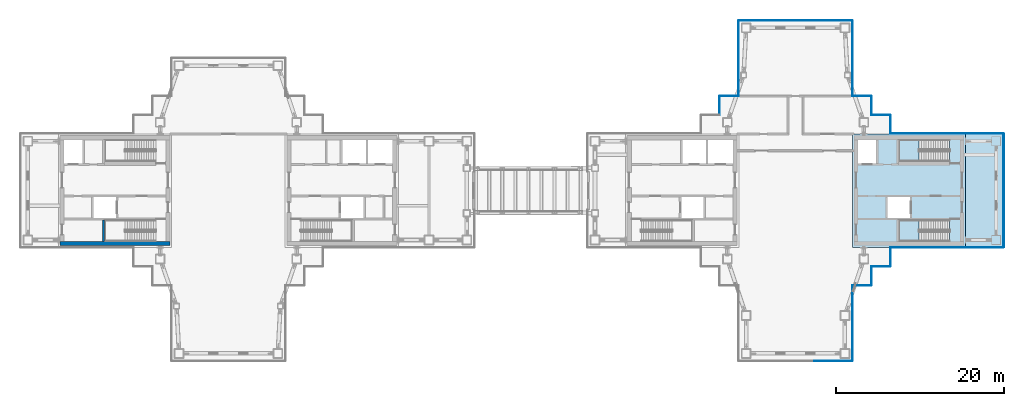
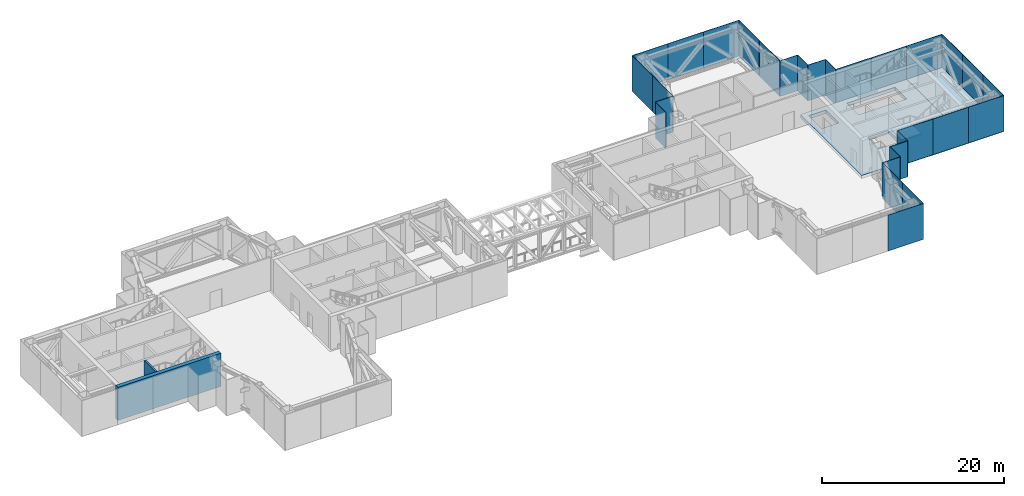
# One storey, part 9 of 21: 29 plates, 4 slabs, 2 walls, 15 elements without a shape of their own.
"""IFC4 building model written with IfcOpenShell, lengths in metres."""

from ifc_helpers import new_model, si_unit, direction, frame, frame_2d, origin, origin_2d, place, context, subcontext, project, spatial, polyline, rectangle, outline, extrude, material, layer, layer_set, type_object, element, aggregate, save


model = new_model("IFC4")

# Units and contexts
model_context = context("Model", 3, precision=1e-05, world=origin(), true_north=direction((0.0, 1.0)))
body_context = subcontext(model_context, "Body", "Model", "MODEL_VIEW")
ifc_project = project(units=[si_unit("LENGTHUNIT", "METRE"), si_unit("AREAUNIT", "SQUARE_METRE"), si_unit("VOLUMEUNIT", "CUBIC_METRE"), si_unit("PLANEANGLEUNIT", "RADIAN"), si_unit("MASSUNIT", "GRAM", prefix="KILO")], contexts=[model_context])

# Site, building, storey
site_placement = place(None, origin())
site = spatial("IfcSite", under=ifc_project, at=site_placement, CompositionType="ELEMENT")
building_placement = place(site_placement, origin())
building = spatial("IfcBuilding", under=site, at=building_placement, Name="Shamsa Quay Exchange Towers", CompositionType="ELEMENT")
storey_placement = place(building_placement, frame((0.0, 0.0, 177.89990234375)))
storey = spatial("IfcBuildingStorey", under=building, at=storey_placement, Name="L42", CompositionType="ELEMENT", Elevation=177.89990234375)

# Slab
ifc_material_1 = material(Name="Concrete C50/60", Category="concrete")
ifc_layer_1 = layer(ifc_material_1, 0.449951171875)
ifc_layer_set_1 = layer_set([ifc_layer_1], Name="CORE FLOOR 450 C50/60")
slab_type_1 = type_object("IfcSlabType", Name="CORE FLOOR 450 C50/60", PredefinedType="FLOOR", material=ifc_layer_set_1)
slab_1_placement = place(storey_placement, frame((0.0, 0.0, -0.449951171875)))
element("IfcSlab", 1, at=slab_1_placement, inside=storey, type_object=slab_type_1, Name="Core floor T2B", PredefinedType="FLOOR", context=body_context, shape_type="SweptSolid", body=[
    extrude(outline(polyline([(54.0, -6.75), (54.0, 6.75), (40.5, 6.75), (40.5, -6.75), (54.0, -6.75)]), holes=[polyline([(52.099365234375, -3.5), (52.099365234375, -6.050048828125), (46.0, -6.050048828125), (46.0, -3.5), (52.099365234375, -3.5)]), polyline([(52.099365234375, 6.050048828125), (52.099365234375, 3.5), (46.0, 3.5), (46.0, 6.050048828125), (52.099365234375, 6.050048828125)]), polyline([(43.35009765625, 3.25), (41.199951171875, 3.25), (41.199951171875, 6.050048828125), (43.35009765625, 6.050048828125), (43.35009765625, 3.25)]), polyline([(47.35009765625, -3.25), (44.699951171875, -3.25), (44.699951171875, -0.75), (47.35009765625, -0.75), (47.35009765625, -3.25)])]), origin(), (0.0, 0.0, 1.0), 0.449951171875),
])

# Stair, slab
ifc_material_2 = material(Name="Concrete C40/50", Category="concrete")
stair_type = type_object("IfcStairType", Name="EXIT STAIR 28 RISERS 171 MM", PredefinedType="HALF_TURN_STAIR", material=ifc_material_2)
stair_1_placement = place(storey_placement, origin())
stair_1 = element("IfcStair", 2, at=stair_1_placement, inside=storey, type_object=stair_type, Name="L42 Exit stair ST5", PredefinedType="HALF_TURN_STAIR")
ifc_layer_2 = layer(ifc_material_2, 0.199951171875)
ifc_layer_set_2 = layer_set([ifc_layer_2], Name="CORE STAIR LANDING")
slab_type_2 = type_object("IfcSlabType", Name="CORE STAIR LANDING", PredefinedType="LANDING", material=ifc_layer_set_2)
slab_2_placement = place(storey_placement, frame((0.0, 0.0, 2.2001953125)))
slab_2 = element("IfcSlab", 3, at=slab_2_placement, type_object=slab_type_2, Name="ST5 landing 1", PredefinedType="LANDING", context=body_context, shape_type="SweptSolid", body=[
    extrude(outline(polyline([(48.4599609375, -3.5), (46.0, -3.5), (46.0, -6.050048828125), (48.4599609375, -6.050048828125), (48.4599609375, -3.5)])), origin(), (0.0, 0.0, 1.0), 0.199951171875),
])
aggregate(stair_1, [slab_2])

stair_2_placement = place(storey_placement, origin())
stair_2 = element("IfcStair", 4, at=stair_2_placement, inside=storey, type_object=stair_type, Name="L42 Exit stair ST6", PredefinedType="HALF_TURN_STAIR")
slab_3_placement = place(storey_placement, frame((0.0, 0.0, 2.2001953125)))
slab_3 = element("IfcSlab", 5, at=slab_3_placement, type_object=slab_type_2, Name="ST6 landing 1", PredefinedType="LANDING", context=body_context, shape_type="SweptSolid", body=[
    extrude(outline(polyline([(48.4599609375, 6.050048828125), (46.0, 6.050048828125), (46.0, 3.5), (48.4599609375, 3.5), (48.4599609375, 6.050048828125)])), origin(), (0.0, 0.0, 1.0), 0.199951171875),
])
aggregate(stair_2, [slab_3])

# Curtain wall, plates
ifc_material_3 = material(Name="Aluminium EN AW-6063 T6, black anodised", Category="aluminium")
ifc_layer_3 = layer(ifc_material_3, 0.320068359375)
ifc_layer_set_3 = layer_set([ifc_layer_3], Name="CW-7 BELT-LEVEL LOUVRE PANEL WALL")
curtain_wall_type = type_object("IfcCurtainWallType", Name="CW-7 BELT-LEVEL LOUVRE PANEL WALL", PredefinedType="NOTDEFINED", material=ifc_layer_set_3)
curtain_wall_1_placement = place(storey_placement, origin())
curtain_wall_1 = element("IfcCurtainWall", 6, at=curtain_wall_1_placement, inside=storey, type_object=curtain_wall_type, Name="CW7 T2-FLK-V-W L42", PredefinedType="NOTDEFINED")
ifc_material_4 = material(Name="Aluminium louvre panel, black anodised, with insulated fire-rated backing", Category="aluminium")
ifc_layer_4 = layer(ifc_material_4, 0.06005859375)
ifc_layer_set_4 = layer_set([ifc_layer_4], Name="CW-7 LOUVRE PANEL 60")
plate_type = type_object("IfcPlateType", Name="CW-7 LOUVRE PANEL 60", PredefinedType="CURTAIN_PANEL", material=ifc_layer_set_4)
plate_1_placement = place(storey_placement, frame((47.2939453125, -6.780029296875, -0.35009765625)))
plate_1 = element("IfcPlate", 7, at=plate_1_placement, type_object=plate_type, Name="CW7 glass panel", PredefinedType="CURTAIN_PANEL", context=body_context, shape_type="SweptSolid", body=[
    extrude(rectangle(XDim=4.464111328125, YDim=0.06005859375, at=origin_2d()), origin(), (0.0, 0.0, 1.0), 4.800048828125),
])
plate_2_placement = place(storey_placement, frame((51.76806640625, -6.780029296875, -0.35009765625)))
plate_2 = element("IfcPlate", 8, at=plate_2_placement, type_object=plate_type, Name="CW7 glass panel", PredefinedType="CURTAIN_PANEL", context=body_context, shape_type="SweptSolid", body=[
    extrude(rectangle(XDim=4.464111328125, YDim=0.06005859375, at=origin_2d()), origin(), (0.0, 0.0, 1.0), 4.800048828125),
])
aggregate(curtain_wall_1, [plate_1, plate_2])

# Curtain wall, plate
curtain_wall_2_placement = place(storey_placement, origin())
curtain_wall_2 = element("IfcCurtainWall", 9, at=curtain_wall_2_placement, inside=storey, type_object=curtain_wall_type, Name="CW7 T2-FLK-V-W L42", PredefinedType="NOTDEFINED")
plate_3_placement = place(storey_placement, frame((56.25, -6.780029296875, -0.35009765625)))
plate_3 = element("IfcPlate", 10, at=plate_3_placement, type_object=plate_type, Name="CW7 glass panel", PredefinedType="CURTAIN_PANEL", context=body_context, shape_type="SweptSolid", body=[
    extrude(rectangle(XDim=4.5, YDim=0.06005859375, at=origin_2d()), origin(), (0.0, 0.0, 1.0), 4.800048828125),
])
aggregate(curtain_wall_2, [plate_3])

# Curtain wall, plates
curtain_wall_3_placement = place(storey_placement, origin())
curtain_wall_3 = element("IfcCurtainWall", 11, at=curtain_wall_3_placement, inside=storey, type_object=curtain_wall_type, Name="CW7 T2-END-V- L42", PredefinedType="NOTDEFINED")
plate_4_placement = place(storey_placement, frame((58.530029296875, -4.50244140625, -0.35009765625), z_axis=(0.0, 0.0, 1.0), x_axis=(0.0, 1.0, 0.0)))
plate_4 = element("IfcPlate", 12, at=plate_4_placement, type_object=plate_type, Name="CW7 glass panel", PredefinedType="CURTAIN_PANEL", context=body_context, shape_type="SweptSolid", body=[
    extrude(rectangle(XDim=4.4951171875, YDim=0.06005859375, at=origin_2d()), origin(), (0.0, 0.0, 1.0), 4.800048828125),
])
plate_5_placement = place(storey_placement, frame((58.530029296875, 0.0, -0.35009765625), z_axis=(0.0, 0.0, 1.0), x_axis=(0.0, 1.0, 0.0)))
plate_5 = element("IfcPlate", 13, at=plate_5_placement, type_object=plate_type, Name="CW7 glass panel", PredefinedType="CURTAIN_PANEL", context=body_context, shape_type="SweptSolid", body=[
    extrude(rectangle(XDim=4.489990234375, YDim=0.06005859375, at=origin_2d()), origin(), (0.0, 0.0, 1.0), 4.800048828125),
])
plate_6_placement = place(storey_placement, frame((58.530029296875, 4.50244140625, -0.35009765625), z_axis=(0.0, 0.0, 1.0), x_axis=(0.0, 1.0, 0.0)))
plate_6 = element("IfcPlate", 14, at=plate_6_placement, type_object=plate_type, Name="CW7 glass panel", PredefinedType="CURTAIN_PANEL", context=body_context, shape_type="SweptSolid", body=[
    extrude(rectangle(XDim=4.4951171875, YDim=0.06005859375, at=origin_2d()), origin(), (0.0, 0.0, 1.0), 4.800048828125),
])
aggregate(curtain_wall_3, [plate_4, plate_5, plate_6])

# Curtain wall, plate
curtain_wall_4_placement = place(storey_placement, origin())
curtain_wall_4 = element("IfcCurtainWall", 15, at=curtain_wall_4_placement, inside=storey, type_object=curtain_wall_type, Name="CW7 T2-FLK-V-E L42", PredefinedType="NOTDEFINED")
plate_7_placement = place(storey_placement, frame((56.25, 6.780029296875, -0.35009765625), z_axis=(0.0, 0.0, 1.0), x_axis=(-1.0, 0.0, 0.0)))
plate_7 = element("IfcPlate", 16, at=plate_7_placement, type_object=plate_type, Name="CW7 glass panel", PredefinedType="CURTAIN_PANEL", context=body_context, shape_type="SweptSolid", body=[
    extrude(rectangle(XDim=4.5, YDim=0.06005859375, at=origin_2d()), origin(), (0.0, 0.0, 1.0), 4.800048828125),
])
aggregate(curtain_wall_4, [plate_7])

# Curtain wall, plates
curtain_wall_5_placement = place(storey_placement, origin())
curtain_wall_5 = element("IfcCurtainWall", 17, at=curtain_wall_5_placement, inside=storey, type_object=curtain_wall_type, Name="CW7 T2-FLK-V-E L42", PredefinedType="NOTDEFINED")
plate_8_placement = place(storey_placement, frame((51.75244140625, 6.780029296875, -0.35009765625), z_axis=(0.0, 0.0, 1.0), x_axis=(-1.0, 0.0, 0.0)))
plate_8 = element("IfcPlate", 18, at=plate_8_placement, type_object=plate_type, Name="CW7 glass panel", PredefinedType="CURTAIN_PANEL", context=body_context, shape_type="SweptSolid", body=[
    extrude(rectangle(XDim=4.4951171875, YDim=0.06005859375, at=origin_2d()), origin(), (0.0, 0.0, 1.0), 4.800048828125),
])
plate_9_placement = place(storey_placement, frame((47.24755859375, 6.780029296875, -0.35009765625), z_axis=(0.0, 0.0, 1.0), x_axis=(-1.0, 0.0, 0.0)))
plate_9 = element("IfcPlate", 19, at=plate_9_placement, type_object=plate_type, Name="CW7 glass panel", PredefinedType="CURTAIN_PANEL", context=body_context, shape_type="SweptSolid", body=[
    extrude(rectangle(XDim=4.4951171875, YDim=0.06005859375, at=origin_2d()), origin(), (0.0, 0.0, 1.0), 4.800048828125),
])
aggregate(curtain_wall_5, [plate_8, plate_9])

curtain_wall_6_placement = place(storey_placement, origin())
curtain_wall_6 = element("IfcCurtainWall", 20, at=curtain_wall_6_placement, inside=storey, type_object=curtain_wall_type, Name="CW7 T2-FLK-U+S L42", PredefinedType="NOTDEFINED")
plate_10_placement = place(storey_placement, frame((40.530029296875, 13.5439453125, -0.35009765625), z_axis=(0.0, 0.0, 1.0), x_axis=(0.0, 1.0, 0.0)))
plate_10 = element("IfcPlate", 21, at=plate_10_placement, type_object=plate_type, Name="CW7 glass panel", PredefinedType="CURTAIN_PANEL", context=body_context, shape_type="SweptSolid", body=[
    extrude(rectangle(XDim=4.464111328125, YDim=0.06005859375, at=origin_2d()), origin(), (0.0, 0.0, 1.0), 4.800048828125),
])
plate_11_placement = place(storey_placement, frame((40.530029296875, 18.01806640625, -0.35009765625), z_axis=(0.0, 0.0, 1.0), x_axis=(0.0, 1.0, 0.0)))
plate_11 = element("IfcPlate", 22, at=plate_11_placement, type_object=plate_type, Name="CW7 glass panel", PredefinedType="CURTAIN_PANEL", context=body_context, shape_type="SweptSolid", body=[
    extrude(rectangle(XDim=4.464111328125, YDim=0.06005859375, at=origin_2d()), origin(), (0.0, 0.0, 1.0), 4.800048828125),
])
aggregate(curtain_wall_6, [plate_10, plate_11])

curtain_wall_7_placement = place(storey_placement, origin())
curtain_wall_7 = element("IfcCurtainWall", 23, at=curtain_wall_7_placement, inside=storey, type_object=curtain_wall_type, Name="CW7 T2-END-U+ L42", PredefinedType="NOTDEFINED")
plate_12_placement = place(storey_placement, frame((38.25244140625, 20.280029296875, -0.35009765625), z_axis=(0.0, 0.0, 1.0), x_axis=(-1.0, 0.0, 0.0)))
plate_12 = element("IfcPlate", 24, at=plate_12_placement, type_object=plate_type, Name="CW7 glass panel", PredefinedType="CURTAIN_PANEL", context=body_context, shape_type="SweptSolid", body=[
    extrude(rectangle(XDim=4.4951171875, YDim=0.06005859375, at=origin_2d()), origin(), (0.0, 0.0, 1.0), 4.800048828125),
])
plate_13_placement = place(storey_placement, frame((33.75, 20.280029296875, -0.35009765625), z_axis=(0.0, 0.0, 1.0), x_axis=(-1.0, 0.0, 0.0)))
plate_13 = element("IfcPlate", 25, at=plate_13_placement, type_object=plate_type, Name="CW7 glass panel", PredefinedType="CURTAIN_PANEL", context=body_context, shape_type="SweptSolid", body=[
    extrude(rectangle(XDim=4.489990234375, YDim=0.06005859375, at=origin_2d()), origin(), (0.0, 0.0, 1.0), 4.800048828125),
])
plate_14_placement = place(storey_placement, frame((29.24755859375, 20.280029296875, -0.35009765625), z_axis=(0.0, 0.0, 1.0), x_axis=(-1.0, 0.0, 0.0)))
plate_14 = element("IfcPlate", 26, at=plate_14_placement, type_object=plate_type, Name="CW7 glass panel", PredefinedType="CURTAIN_PANEL", context=body_context, shape_type="SweptSolid", body=[
    extrude(rectangle(XDim=4.4951171875, YDim=0.06005859375, at=origin_2d()), origin(), (0.0, 0.0, 1.0), 4.800048828125),
])
aggregate(curtain_wall_7, [plate_12, plate_13, plate_14])

curtain_wall_8_placement = place(storey_placement, origin())
curtain_wall_8 = element("IfcCurtainWall", 27, at=curtain_wall_8_placement, inside=storey, type_object=curtain_wall_type, Name="CW7 T2-FLK-U+N L42", PredefinedType="NOTDEFINED")
plate_15_placement = place(storey_placement, frame((26.969970703125, 18.00244140625, -0.35009765625), z_axis=(0.0, 0.0, 1.0), x_axis=(0.0, -1.0, 0.0)))
plate_15 = element("IfcPlate", 28, at=plate_15_placement, type_object=plate_type, Name="CW7 glass panel", PredefinedType="CURTAIN_PANEL", context=body_context, shape_type="SweptSolid", body=[
    extrude(rectangle(XDim=4.4951171875, YDim=0.06005859375, at=origin_2d()), origin(), (0.0, 0.0, 1.0), 4.800048828125),
])
plate_16_placement = place(storey_placement, frame((26.969970703125, 13.49755859375, -0.35009765625), z_axis=(0.0, 0.0, 1.0), x_axis=(0.0, -1.0, 0.0)))
plate_16 = element("IfcPlate", 29, at=plate_16_placement, type_object=plate_type, Name="CW7 glass panel", PredefinedType="CURTAIN_PANEL", context=body_context, shape_type="SweptSolid", body=[
    extrude(rectangle(XDim=4.4951171875, YDim=0.06005859375, at=origin_2d()), origin(), (0.0, 0.0, 1.0), 4.800048828125),
])
aggregate(curtain_wall_8, [plate_15, plate_16])

# Curtain wall, plate
curtain_wall_9_placement = place(storey_placement, origin())
curtain_wall_9 = element("IfcCurtainWall", 30, at=curtain_wall_9_placement, inside=storey, type_object=curtain_wall_type, Name="CW7 T2-END-U- L42", PredefinedType="NOTDEFINED")
plate_17_placement = place(storey_placement, frame((38.25244140625, -20.280029296875, -0.35009765625)))
plate_17 = element("IfcPlate", 31, at=plate_17_placement, type_object=plate_type, Name="CW7 glass panel", PredefinedType="CURTAIN_PANEL", context=body_context, shape_type="SweptSolid", body=[
    extrude(rectangle(XDim=4.4951171875, YDim=0.06005859375, at=origin_2d()), origin(), (0.0, 0.0, 1.0), 4.800048828125),
])
aggregate(curtain_wall_9, [plate_17])

# Curtain wall, plates
curtain_wall_10_placement = place(storey_placement, origin())
curtain_wall_10 = element("IfcCurtainWall", 32, at=curtain_wall_10_placement, inside=storey, type_object=curtain_wall_type, Name="CW7 T2-FLK-U-S L42", PredefinedType="NOTDEFINED")
plate_18_placement = place(storey_placement, frame((40.530029296875, -18.00244140625, -0.35009765625), z_axis=(0.0, 0.0, 1.0), x_axis=(0.0, 1.0, 0.0)))
plate_18 = element("IfcPlate", 33, at=plate_18_placement, type_object=plate_type, Name="CW7 glass panel", PredefinedType="CURTAIN_PANEL", context=body_context, shape_type="SweptSolid", body=[
    extrude(rectangle(XDim=4.4951171875, YDim=0.06005859375, at=origin_2d()), origin(), (0.0, 0.0, 1.0), 4.800048828125),
])
plate_19_placement = place(storey_placement, frame((40.530029296875, -13.49755859375, -0.35009765625), z_axis=(0.0, 0.0, 1.0), x_axis=(0.0, 1.0, 0.0)))
plate_19 = element("IfcPlate", 34, at=plate_19_placement, type_object=plate_type, Name="CW7 glass panel", PredefinedType="CURTAIN_PANEL", context=body_context, shape_type="SweptSolid", body=[
    extrude(rectangle(XDim=4.4951171875, YDim=0.06005859375, at=origin_2d()), origin(), (0.0, 0.0, 1.0), 4.800048828125),
])
aggregate(curtain_wall_10, [plate_18, plate_19])

curtain_wall_11_placement = place(storey_placement, origin())
curtain_wall_11 = element("IfcCurtainWall", 35, at=curtain_wall_11_placement, inside=storey, type_object=curtain_wall_type, Name="CW7 PKWS L42", PredefinedType="NOTDEFINED")
plate_20_placement = place(storey_placement, frame((43.906005859375, -9.030029296875, -0.35009765625)))
plate_20 = element("IfcPlate", 36, at=plate_20_placement, type_object=plate_type, Name="CW7 glass panel", PredefinedType="CURTAIN_PANEL", context=body_context, shape_type="SweptSolid", body=[
    extrude(rectangle(XDim=2.18798828125, YDim=0.06005859375, at=origin_2d()), origin(), (0.0, 0.0, 1.0), 4.800048828125),
])
plate_21_placement = place(storey_placement, frame((45.030029296875, -7.875, -0.35009765625), z_axis=(0.0, 0.0, 1.0), x_axis=(0.0, 1.0, 0.0)))
plate_21 = element("IfcPlate", 37, at=plate_21_placement, type_object=plate_type, Name="CW7 glass panel", PredefinedType="CURTAIN_PANEL", context=body_context, shape_type="SweptSolid", body=[
    extrude(rectangle(XDim=2.25, YDim=0.06005859375, at=origin_2d()), origin(), (0.0, 0.0, 1.0), 4.800048828125),
])
plate_22_placement = place(storey_placement, frame((41.656005859375, -11.280029296875, -0.35009765625)))
plate_22 = element("IfcPlate", 38, at=plate_22_placement, type_object=plate_type, Name="CW7 glass panel", PredefinedType="CURTAIN_PANEL", context=body_context, shape_type="SweptSolid", body=[
    extrude(rectangle(XDim=2.18798828125, YDim=0.06005859375, at=origin_2d()), origin(), (0.0, 0.0, 1.0), 4.800048828125),
])
plate_23_placement = place(storey_placement, frame((42.780029296875, -10.125, -0.35009765625), z_axis=(0.0, 0.0, 1.0), x_axis=(0.0, 1.0, 0.0)))
plate_23 = element("IfcPlate", 39, at=plate_23_placement, type_object=plate_type, Name="CW7 glass panel", PredefinedType="CURTAIN_PANEL", context=body_context, shape_type="SweptSolid", body=[
    extrude(rectangle(XDim=2.25, YDim=0.06005859375, at=origin_2d()), origin(), (0.0, 0.0, 1.0), 4.800048828125),
])
aggregate(curtain_wall_11, [plate_20, plate_21, plate_22, plate_23])

curtain_wall_12_placement = place(storey_placement, origin())
curtain_wall_12 = element("IfcCurtainWall", 40, at=curtain_wall_12_placement, inside=storey, type_object=curtain_wall_type, Name="CW7 PKES L42", PredefinedType="NOTDEFINED")
plate_24_placement = place(storey_placement, frame((45.030029296875, 7.906005859375, -0.35009765625), z_axis=(0.0, 0.0, 1.0), x_axis=(0.0, 1.0, 0.0)))
plate_24 = element("IfcPlate", 41, at=plate_24_placement, type_object=plate_type, Name="CW7 glass panel", PredefinedType="CURTAIN_PANEL", context=body_context, shape_type="SweptSolid", body=[
    extrude(rectangle(XDim=2.18798828125, YDim=0.06005859375, at=origin_2d()), origin(), (0.0, 0.0, 1.0), 4.800048828125),
])
plate_25_placement = place(storey_placement, frame((43.875, 9.030029296875, -0.35009765625), z_axis=(0.0, 0.0, 1.0), x_axis=(-1.0, 0.0, 0.0)))
plate_25 = element("IfcPlate", 42, at=plate_25_placement, type_object=plate_type, Name="CW7 glass panel", PredefinedType="CURTAIN_PANEL", context=body_context, shape_type="SweptSolid", body=[
    extrude(rectangle(XDim=2.25, YDim=0.06005859375, at=origin_2d()), origin(), (0.0, 0.0, 1.0), 4.800048828125),
])
plate_26_placement = place(storey_placement, frame((42.780029296875, 10.156005859375, -0.35009765625), z_axis=(0.0, 0.0, 1.0), x_axis=(0.0, 1.0, 0.0)))
plate_26 = element("IfcPlate", 43, at=plate_26_placement, type_object=plate_type, Name="CW7 glass panel", PredefinedType="CURTAIN_PANEL", context=body_context, shape_type="SweptSolid", body=[
    extrude(rectangle(XDim=2.18798828125, YDim=0.06005859375, at=origin_2d()), origin(), (0.0, 0.0, 1.0), 4.800048828125),
])
plate_27_placement = place(storey_placement, frame((41.625, 11.280029296875, -0.35009765625), z_axis=(0.0, 0.0, 1.0), x_axis=(-1.0, 0.0, 0.0)))
plate_27 = element("IfcPlate", 44, at=plate_27_placement, type_object=plate_type, Name="CW7 glass panel", PredefinedType="CURTAIN_PANEL", context=body_context, shape_type="SweptSolid", body=[
    extrude(rectangle(XDim=2.25, YDim=0.06005859375, at=origin_2d()), origin(), (0.0, 0.0, 1.0), 4.800048828125),
])
aggregate(curtain_wall_12, [plate_24, plate_25, plate_26, plate_27])

curtain_wall_13_placement = place(storey_placement, origin())
curtain_wall_13 = element("IfcCurtainWall", 45, at=curtain_wall_13_placement, inside=storey, type_object=curtain_wall_type, Name="CW7 PKEN L42", PredefinedType="NOTDEFINED")
plate_28_placement = place(storey_placement, frame((25.843994140625, 11.280029296875, -0.35009765625), z_axis=(0.0, 0.0, 1.0), x_axis=(-1.0, 0.0, 0.0)))
plate_28 = element("IfcPlate", 46, at=plate_28_placement, type_object=plate_type, Name="CW7 glass panel", PredefinedType="CURTAIN_PANEL", context=body_context, shape_type="SweptSolid", body=[
    extrude(rectangle(XDim=2.18798828125, YDim=0.06005859375, at=origin_2d()), origin(), (0.0, 0.0, 1.0), 4.800048828125),
])
plate_29_placement = place(storey_placement, frame((24.719970703125, 10.125, -0.35009765625), z_axis=(0.0, 0.0, 1.0), x_axis=(0.0, -1.0, 0.0)))
plate_29 = element("IfcPlate", 47, at=plate_29_placement, type_object=plate_type, Name="CW7 glass panel", PredefinedType="CURTAIN_PANEL", context=body_context, shape_type="SweptSolid", body=[
    extrude(rectangle(XDim=2.25, YDim=0.06005859375, at=origin_2d()), origin(), (0.0, 0.0, 1.0), 4.800048828125),
])
aggregate(curtain_wall_13, [plate_28, plate_29])

# Slab
ifc_layer_5 = layer(ifc_material_2, 0.449951171875)
ifc_layer_set_5 = layer_set([ifc_layer_5], Name="Flat slab 450")
slab_type_3 = type_object("IfcSlabType", Name="Flat slab 450", PredefinedType="FLOOR", material=ifc_layer_set_5)
slab_4_placement = place(storey_placement, frame((0.0, 0.0, -0.449951171875)))
element("IfcSlab", 48, at=slab_4_placement, inside=storey, type_object=slab_type_3, Name="Flat slab T2 L42 6", PredefinedType="FLOOR", context=body_context, shape_type="SweptSolid", body=[
    extrude(outline(polyline([(58.5, 6.75), (54.0, 6.75), (54.0, -6.75), (58.5, -6.75), (58.5, 6.75)])), origin(), (0.0, 0.0, 1.0), 0.449951171875),
])

# Walls
ifc_material_5 = material(Name="Concrete C60/75", Category="concrete")
ifc_layer_6 = layer(ifc_material_5, 0.5)
ifc_layer_set_6 = layer_set([ifc_layer_6], Name="CORE WALL 500 C60/75")
wall_type_1 = type_object("IfcWallType", Name="CORE WALL 500 C60/75", PredefinedType="SHEAR", material=ifc_layer_set_6)
wall_1_placement = place(storey_placement, frame((-40.699951171875, -6.300048828125, 0.0), z_axis=(0.0, 0.0, 1.0), x_axis=(-1.0, 0.0, 0.0)))
element("IfcWall", 49, at=wall_1_placement, inside=storey, type_object=wall_type_1, Name="Core wall T1B-L42-PS", PredefinedType="SHEAR", context=body_context, shape_type="SweptSolid", body=[
    extrude(rectangle(XDim=13.10009765625, YDim=0.5, at=frame_2d((6.550048828125, 0.0))), origin(), (0.0, 0.0, 1.0), 4.4501953125),
])
ifc_layer_7 = layer(ifc_material_1, 0.25)
ifc_layer_set_7 = layer_set([ifc_layer_7], Name="SHAFT WALL 250 C50/60")
wall_type_2 = type_object("IfcWallType", Name="SHAFT WALL 250 C50/60", PredefinedType="SHEAR", material=ifc_layer_set_7)
wall_2_placement = place(storey_placement, frame((-48.625, -6.050048828125, 0.0), z_axis=(0.0, 0.0, 1.0), x_axis=(0.0, 1.0, 0.0)))
element("IfcWall", 50, at=wall_2_placement, inside=storey, type_object=wall_type_2, Name="Shaft wall T1B-L42-STF", PredefinedType="SHEAR", context=body_context, shape_type="SweptSolid", body=[
    extrude(rectangle(XDim=2.550048828125, YDim=0.25, at=frame_2d((1.27490234375, 0.0))), origin(), (0.0, 0.0, 1.0), 4.4501953125),
])

save(model, "model.ifc")
